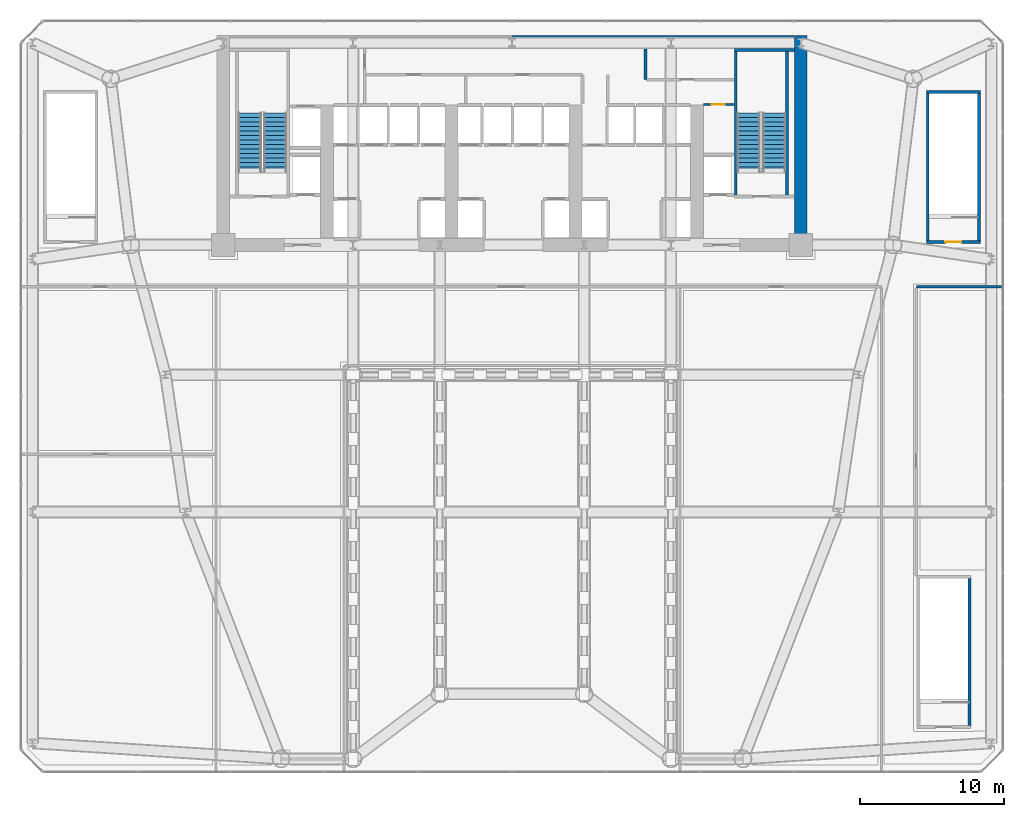
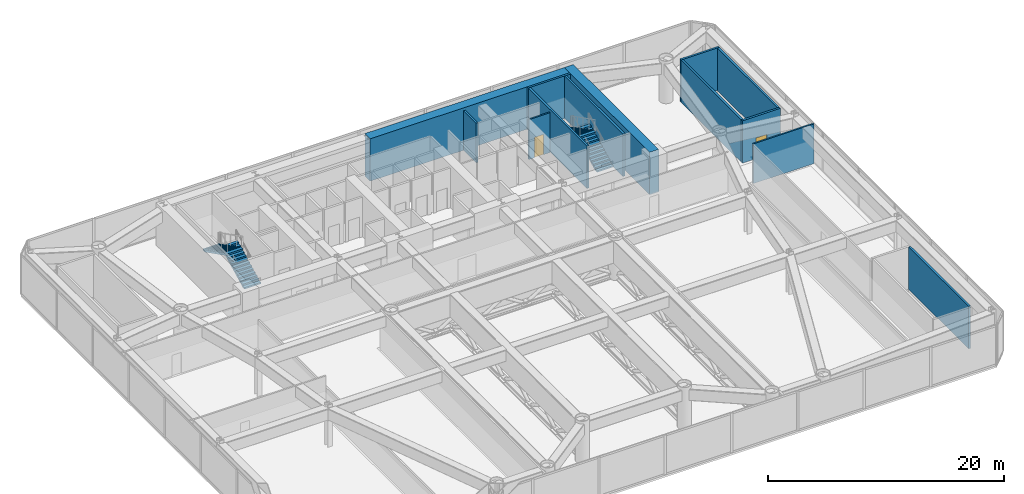
# One storey, part 17 of 21: 13 walls, 4 stair flights, 2 doors, 2 openings, 2 elements without a shape of their own.
"""IFC4 building model written with IfcOpenShell, lengths in metres."""

from ifc_helpers import new_model, si_unit, direction, frame, frame_2d, origin, place, context, subcontext, project, spatial, polyline, rectangle, outline, extrude, source, transform, mapped, material, layer, layer_set, type_object, element, fill, aggregate, save


model = new_model("IFC4")

# Units and contexts
model_context = context("Model", 3, precision=1e-05, world=origin(), true_north=direction((0.0, 1.0)))
body_context = subcontext(model_context, "Body", "Model", "MODEL_VIEW")
ifc_project = project(units=[si_unit("LENGTHUNIT", "METRE"), si_unit("AREAUNIT", "SQUARE_METRE"), si_unit("VOLUMEUNIT", "CUBIC_METRE"), si_unit("PLANEANGLEUNIT", "RADIAN"), si_unit("MASSUNIT", "GRAM", prefix="KILO")], contexts=[model_context])

# Site, building, storey
site_placement = place(None, origin())
site = spatial("IfcSite", under=ifc_project, at=site_placement, CompositionType="ELEMENT")
building_placement = place(site_placement, origin())
building = spatial("IfcBuilding", under=site, at=building_placement, Name="Vaeldorn Concourse Tower", CompositionType="ELEMENT")
storey_placement = place(building_placement, frame((0.0, 0.0, 14.39990234375)))
storey = spatial("IfcBuildingStorey", under=building, at=storey_placement, Name="L03", CompositionType="ELEMENT", Elevation=14.39990234375)

# Walls
ifc_material_1 = material(Name="Concrete C60/75", Category="concrete")
ifc_layer_1 = layer(ifc_material_1, 0.89990234375)
ifc_layer_set_1 = layer_set([ifc_layer_1], Name="Concrete C60/75")
wall_type_1 = type_object("IfcWallType", Name="WL-CORE-900", PredefinedType="SHEAR", material=ifc_layer_set_1)
wall_1_placement = place(storey_placement, frame((34.001953125, 50.550048828125, 0.0), z_axis=(0.0, 0.0, 1.0), x_axis=(1.0, 0.0, 0.0)))
element("IfcWall", 1, at=wall_1_placement, inside=storey, type_object=wall_type_1, Name="Rear Core Shear Wall L03 N2", PredefinedType="SHEAR", context=body_context, shape_type="SweptSolid", body=[
    extrude(rectangle(XDim=19.5439453125, YDim=0.89990234375, at=frame_2d((9.77197265625, 0.0))), origin(), (0.0, 0.0, 1.0), 4.400146484375),
])
wall_2_placement = place(storey_placement, frame((54.0, 36.5, 0.0), z_axis=(0.0, 0.0, 1.0), x_axis=(0.0, 1.0, 0.0)))
element("IfcWall", 2, at=wall_2_placement, inside=storey, type_object=wall_type_1, Name="Rear Core Shear Wall L03 E1", PredefinedType="SHEAR", context=body_context, shape_type="SweptSolid", body=[
    extrude(rectangle(XDim=14.5, YDim=0.89990234375, at=frame_2d((7.25, 0.0))), origin(), (0.0, 0.0, 1.0), 4.400146484375),
])

# Wall, opening, door
ifc_material_2 = material(Name="Gypsum Board Partition", Category="gypsum")
ifc_layer_2 = layer(ifc_material_2, 0.14990234375)
ifc_layer_set_2 = layer_set([ifc_layer_2], Name="Gypsum Board Partition")
wall_type_2 = type_object("IfcWallType", Name="WL-PART-150", PredefinedType="PARTITIONING", material=ifc_layer_set_2)
wall_3_placement = place(storey_placement, frame((47.280029296875, 46.219970703125, 0.0), z_axis=(0.0, 0.0, 1.0), x_axis=(1.0, 0.0, 0.0)))
wall_3 = element("IfcWall", 3, at=wall_3_placement, inside=storey, type_object=wall_type_2, Name="Interior Wall CW-L03-CRSE-N", PredefinedType="PARTITIONING", context=body_context, shape_type="SweptSolid", body=[
    extrude(rectangle(XDim=2.099853515625, YDim=0.14990234375, at=frame_2d((1.0498046875, 0.0))), origin(), (0.0, 0.0, 1.0), 4.1201171875),
])
opening_1_placement = place(wall_3_placement, frame((0.550048828125, 0.0, 0.0)))
opening_1 = element("IfcOpeningElement", 4, at=opening_1_placement, cuts=wall_3, Name="Opening D-02", PredefinedType="OPENING", context=body_context, shape_type="SweptSolid", body=[
    extrude(rectangle(XDim=0.89990234375, YDim=2.10009765625, at=frame_2d((0.449951171875, 1.050048828125))), frame((0.0, 0.0849609375, 0.0), z_axis=(0.0, -1.0, 0.0), x_axis=(1.0, 0.0, 0.0)), (0.0, 0.0, 1.0), 0.169921875),
])
ifc_material_3 = material(Name="Fire-Rated Timber Leaf", Category="wood")
door_type_1 = type_object("IfcDoorType", Name="DR-FD30-900", OperationType="NOTDEFINED", PredefinedType="DOOR", material=ifc_material_3)
shared_shape_1 = source(origin(), body_context, "Body", "SweptSolid", [
    extrude(rectangle(XDim=0.89990234375, YDim=2.10009765625, at=frame_2d((0.449951171875, 1.050048828125))), frame((0.0, 0.02490234375, 0.0), z_axis=(0.0, -1.0, 0.0), x_axis=(1.0, 0.0, 0.0)), (0.0, 0.0, 1.0), 0.050048828125),
])
door_1_placement = place(opening_1_placement, origin())
door_1 = element("IfcDoor", 5, at=door_1_placement, inside=storey, type_object=door_type_1, Name="Interior Door DR-L03-CRSE", OperationType="SINGLE_SWING_RIGHT", OverallHeight=2.10009765625, OverallWidth=0.89990234375, PredefinedType="DOOR", context=body_context, shape_type="MappedRepresentation", body=[
    mapped(shared_shape_1, transform((0.0, 0.0, 0.0), scale=1.0)),
])
fill(opening_1, door_1)

# Walls
wall_4_placement = place(storey_placement, frame((62.0, 33.60009765625, 0.0), z_axis=(0.0, 0.0, 1.0), x_axis=(1.0, 0.0, 0.0)))
element("IfcWall", 6, at=wall_4_placement, inside=storey, type_object=wall_type_2, Name="Interior Wall PW-L03-CORE", PredefinedType="PARTITIONING", context=body_context, shape_type="SweptSolid", body=[
    extrude(rectangle(XDim=5.9599609375, YDim=0.14990234375, at=frame_2d((2.97998046875, 0.0))), origin(), (0.0, 0.0, 1.0), 4.1201171875),
])
ifc_layer_3 = layer(ifc_material_2, 0.179931640625)
ifc_layer_set_3 = layer_set([ifc_layer_3], Name="Gypsum Board Partition")
wall_type_3 = type_object("IfcWallType", Name="WL-PLUMB-180", PredefinedType="PLUMBINGWALL", material=ifc_layer_set_3)
wall_5_placement = place(storey_placement, frame((43.25, 47.949951171875, 0.0), z_axis=(0.0, 0.0, 1.0), x_axis=(0.0, 1.0, 0.0)))
element("IfcWall", 7, at=wall_5_placement, inside=storey, type_object=wall_type_3, Name="Interior Wall CW-L03-SDIV6", PredefinedType="PLUMBINGWALL", context=body_context, shape_type="SweptSolid", body=[
    extrude(rectangle(XDim=2.130126953125, YDim=0.179931640625, at=frame_2d((1.06494140625, 0.0))), origin(), (0.0, 0.0, 1.0), 4.1201171875),
])
ifc_material_4 = material(Name="Concrete C50/60", Category="concrete")
ifc_layer_4 = layer(ifc_material_4, 0.199951171875)
ifc_layer_set_4 = layer_set([ifc_layer_4], Name="Concrete C50/60")
wall_type_4 = type_object("IfcWallType", Name="WL-SHAFT-200", PredefinedType="SOLIDWALL", material=ifc_layer_set_4)
wall_6_placement = place(storey_placement, frame((49.39990234375, 50.0, 0.0), z_axis=(0.0, 0.0, 1.0), x_axis=(1.0, 0.0, 0.0)))
element("IfcWall", 8, at=wall_6_placement, inside=storey, type_object=wall_type_4, Name="Stair Shaft Wall CW-L03-ST-2-N", PredefinedType="SOLIDWALL", context=body_context, shape_type="SweptSolid", body=[
    extrude(rectangle(XDim=4.150146484375, YDim=0.199951171875, at=frame_2d((2.0751953125, 0.0))), origin(), (0.0, 0.0, 1.0), 4.400146484375),
])
for number, where, z_axis, x_axis, name in (
    (9, (49.5, 39.9599609375, 0.0), (0.0, 0.0, 1.0), (0.0, 1.0, 0.0), "Stair Shaft Wall CW-L03-ST-2-W"),
    (10, (53.050048828125, 39.9599609375, 0.0), (0.0, 0.0, 1.0), (0.0, 1.0, 0.0), "Stair Shaft Wall CW-L03-ST-2-E"),
):
    element("IfcWall", number, at=place(storey_placement, frame(where, z_axis=z_axis, x_axis=x_axis)), inside=storey, type_object=wall_type_4, Name=name, PredefinedType="SOLIDWALL", context=body_context, shape_type="SweptSolid", body=[
        extrude(rectangle(XDim=9.929931640625, YDim=0.199951171875, at=frame_2d((4.96484375, 0.0))), origin(), (0.0, 0.0, 1.0), 4.400146484375),
    ])

# Wall, opening, door
wall_7_placement = place(storey_placement, frame((62.699951171875, 36.699951171875, 0.0), z_axis=(0.0, 0.0, 1.0), x_axis=(1.0, 0.0, 0.0)))
wall_7 = element("IfcWall", 11, at=wall_7_placement, inside=storey, type_object=wall_type_4, Name="Stair Shaft Wall CW-L03-ST-4-S", PredefinedType="SOLIDWALL", context=body_context, shape_type="SweptSolid", body=[
    extrude(rectangle(XDim=3.75, YDim=0.199951171875, at=frame_2d((1.875, 0.0))), origin(), (0.0, 0.0, 1.0), 4.400146484375),
])
opening_2_placement = place(wall_7_placement, frame((1.324951171875, 0.0, 0.0)))
opening_2 = element("IfcOpeningElement", 12, at=opening_2_placement, cuts=wall_7, Name="Opening D-01", PredefinedType="OPENING", context=body_context, shape_type="SweptSolid", body=[
    extrude(rectangle(XDim=1.10009765625, YDim=2.14990234375, at=frame_2d((0.550048828125, 1.074951171875))), frame((0.0, 0.10986328125, 0.0), z_axis=(0.0, -1.0, 0.0), x_axis=(1.0, 0.0, 0.0)), (0.0, 0.0, 1.0), 0.219970703125),
])
ifc_material_5 = material(Name="Fire-Rated Timber and Steel Leaf", Category="steel")
door_type_2 = type_object("IfcDoorType", Name="DR-FD60-1100", OperationType="NOTDEFINED", PredefinedType="DOOR", material=ifc_material_5)
shared_shape_2 = source(origin(), body_context, "Body", "SweptSolid", [
    extrude(rectangle(XDim=1.10009765625, YDim=2.14990234375, at=frame_2d((0.550048828125, 1.074951171875))), frame((0.0, 0.02490234375, 0.0), z_axis=(0.0, -1.0, 0.0), x_axis=(1.0, 0.0, 0.0)), (0.0, 0.0, 1.0), 0.050048828125),
])
door_2_placement = place(opening_2_placement, origin())
door_2 = element("IfcDoor", 13, at=door_2_placement, inside=storey, type_object=door_type_2, Name="Interior Door DR-L03-ST-4", OperationType="SINGLE_SWING_RIGHT", OverallHeight=2.14990234375, OverallWidth=1.10009765625, PredefinedType="DOOR", context=body_context, shape_type="MappedRepresentation", body=[
    mapped(shared_shape_2, transform((0.0, 0.0, 0.0), scale=1.0)),
])
fill(opening_2, door_2)

# Walls
wall_8_placement = place(storey_placement, frame((62.699951171875, 47.10009765625, 0.0), z_axis=(0.0, 0.0, 1.0), x_axis=(1.0, 0.0, 0.0)))
element("IfcWall", 14, at=wall_8_placement, inside=storey, type_object=wall_type_4, Name="Stair Shaft Wall CW-L03-ST-4-N", PredefinedType="SOLIDWALL", context=body_context, shape_type="SweptSolid", body=[
    extrude(rectangle(XDim=3.75, YDim=0.199951171875, at=frame_2d((1.875, 0.0))), origin(), (0.0, 0.0, 1.0), 4.400146484375),
])
for number, where, z_axis, x_axis, name in (
    (15, (62.800048828125, 36.81005859375, 0.0), (0.0, 0.0, 1.0), (0.0, 1.0, 0.0), "Stair Shaft Wall CW-L03-ST-4-W"),
    (16, (66.35009765625, 36.81005859375, 0.0), (0.0, 0.0, 1.0), (0.0, 1.0, 0.0), "Stair Shaft Wall CW-L03-ST-4-E"),
    (17, (65.699951171875, 3.2099609375, 0.0), (0.0, 0.0, 1.0), (0.0, 1.0, 0.0), "Stair Shaft Wall CW-L03-ST-5-E"),
):
    element("IfcWall", number, at=place(storey_placement, frame(where, z_axis=z_axis, x_axis=x_axis)), inside=storey, type_object=wall_type_4, Name=name, PredefinedType="SOLIDWALL", context=body_context, shape_type="SweptSolid", body=[
        extrude(rectangle(XDim=10.179931640625, YDim=0.199951171875, at=frame_2d((5.08984375, 0.0))), origin(), (0.0, 0.0, 1.0), 4.400146484375),
    ])

# Stair, stair flights
ifc_material_6 = material(Name="Precast concrete C40/50", Category="concrete")
stair_type = type_object("IfcStairType", Name="STR-DOG-28x157", PredefinedType="HALF_TURN_STAIR", material=ifc_material_6)
stair_1_placement = place(storey_placement, origin())
stair_1 = element("IfcStair", 18, at=stair_1_placement, inside=storey, type_object=stair_type, Name="L03 West Core Exit Stair ST-1", PredefinedType="HALF_TURN_STAIR")
stair_flight_type = type_object("IfcStairFlightType", Name="STF-STR-14x157", PredefinedType="STRAIGHT", material=ifc_material_6)
stair_flight_1_placement = place(storey_placement, frame((17.60009765625, 41.60009765625, 0.0), z_axis=(0.0, 0.0, 1.0), x_axis=(0.0, 1.0, 0.0)))
stair_flight_1 = element("IfcStairFlight", 19, at=stair_flight_1_placement, type_object=stair_flight_type, Name="ST-1 flight 1", NumberOfRisers=14, NumberOfTreads=13, PredefinedType="STRAIGHT", RiserHeight=0.157142857, TreadLength=0.31, context=body_context, shape_type="SweptSolid", body=[
    extrude(outline(polyline([(0.0, 0.0), (0.0, 0.1572265625), (0.31005859375, 0.1572265625), (0.31005859375, 0.314208984375), (0.6201171875, 0.314208984375), (0.6201171875, 0.471435546875), (0.929931640625, 0.471435546875), (0.929931640625, 0.628662109375), (1.239990234375, 0.628662109375), (1.239990234375, 0.78564453125), (1.550048828125, 0.78564453125), (1.550048828125, 0.94287109375), (1.860107421875, 0.94287109375), (1.860107421875, 1.10009765625), (2.169921875, 1.10009765625), (2.169921875, 1.257080078125), (2.47998046875, 1.257080078125), (2.47998046875, 1.414306640625), (2.7900390625, 1.414306640625), (2.7900390625, 1.571533203125), (3.10009765625, 1.571533203125), (3.10009765625, 1.728515625), (3.409912109375, 1.728515625), (3.409912109375, 1.8857421875), (3.719970703125, 1.8857421875), (3.719970703125, 2.04296875), (4.030029296875, 2.04296875), (4.030029296875, 2.199951171875), (4.030029296875, 1.874755859375), (0.33154296875, 0.0), (0.0, 0.0)])), frame((0.0, 0.800048828125, 0.0), z_axis=(0.0, -1.0, 0.0), x_axis=(1.0, 0.0, 0.0)), (0.0, 0.0, 1.0), 1.60009765625),
])
stair_flight_2_placement = place(storey_placement, frame((15.85009765625, 45.6298828125, 2.2001953125), z_axis=(0.0, 0.0, 1.0), x_axis=(0.0, -1.0, 0.0)))
stair_flight_2 = element("IfcStairFlight", 20, at=stair_flight_2_placement, type_object=stair_flight_type, Name="ST-1 flight 2", NumberOfRisers=14, NumberOfTreads=13, PredefinedType="STRAIGHT", RiserHeight=0.157142857, TreadLength=0.31, context=body_context, shape_type="SweptSolid", body=[
    extrude(outline(polyline([(0.0, 0.0), (0.0, 0.1572265625), (0.31005859375, 0.1572265625), (0.31005859375, 0.314208984375), (0.6201171875, 0.314208984375), (0.6201171875, 0.471435546875), (0.929931640625, 0.471435546875), (0.929931640625, 0.628662109375), (1.239990234375, 0.628662109375), (1.239990234375, 0.78564453125), (1.550048828125, 0.78564453125), (1.550048828125, 0.94287109375), (1.860107421875, 0.94287109375), (1.860107421875, 1.10009765625), (2.169921875, 1.10009765625), (2.169921875, 1.257080078125), (2.47998046875, 1.257080078125), (2.47998046875, 1.414306640625), (2.7900390625, 1.414306640625), (2.7900390625, 1.571533203125), (3.10009765625, 1.571533203125), (3.10009765625, 1.728515625), (3.409912109375, 1.728515625), (3.409912109375, 1.8857421875), (3.719970703125, 1.8857421875), (3.719970703125, 2.04296875), (4.030029296875, 2.04296875), (4.030029296875, 2.199951171875), (4.030029296875, 1.874755859375), (0.33154296875, 0.0), (0.0, 0.0)])), frame((0.0, 0.800048828125, 0.0), z_axis=(0.0, -1.0, 0.0), x_axis=(1.0, 0.0, 0.0)), (0.0, 0.0, 1.0), 1.60009765625),
])
aggregate(stair_1, [stair_flight_1, stair_flight_2])

stair_2_placement = place(storey_placement, origin())
stair_2 = element("IfcStair", 21, at=stair_2_placement, inside=storey, type_object=stair_type, Name="L03 East Core Exit Stair ST-2", PredefinedType="HALF_TURN_STAIR")
stair_flight_3_placement = place(storey_placement, frame((52.14990234375, 41.60009765625, 0.0), z_axis=(0.0, 0.0, 1.0), x_axis=(0.0, 1.0, 0.0)))
stair_flight_3 = element("IfcStairFlight", 22, at=stair_flight_3_placement, type_object=stair_flight_type, Name="ST-2 flight 1", NumberOfRisers=14, NumberOfTreads=13, PredefinedType="STRAIGHT", RiserHeight=0.157142857, TreadLength=0.31, context=body_context, shape_type="SweptSolid", body=[
    extrude(outline(polyline([(0.0, 0.0), (0.0, 0.1572265625), (0.31005859375, 0.1572265625), (0.31005859375, 0.314208984375), (0.6201171875, 0.314208984375), (0.6201171875, 0.471435546875), (0.929931640625, 0.471435546875), (0.929931640625, 0.628662109375), (1.239990234375, 0.628662109375), (1.239990234375, 0.78564453125), (1.550048828125, 0.78564453125), (1.550048828125, 0.94287109375), (1.860107421875, 0.94287109375), (1.860107421875, 1.10009765625), (2.169921875, 1.10009765625), (2.169921875, 1.257080078125), (2.47998046875, 1.257080078125), (2.47998046875, 1.414306640625), (2.7900390625, 1.414306640625), (2.7900390625, 1.571533203125), (3.10009765625, 1.571533203125), (3.10009765625, 1.728515625), (3.409912109375, 1.728515625), (3.409912109375, 1.8857421875), (3.719970703125, 1.8857421875), (3.719970703125, 2.04296875), (4.030029296875, 2.04296875), (4.030029296875, 2.199951171875), (4.030029296875, 1.874755859375), (0.33154296875, 0.0), (0.0, 0.0)])), frame((0.0, 0.800048828125, 0.0), z_axis=(0.0, -1.0, 0.0), x_axis=(1.0, 0.0, 0.0)), (0.0, 0.0, 1.0), 1.60009765625),
])
stair_flight_4_placement = place(storey_placement, frame((50.39990234375, 45.6298828125, 2.2001953125), z_axis=(0.0, 0.0, 1.0), x_axis=(0.0, -1.0, 0.0)))
stair_flight_4 = element("IfcStairFlight", 23, at=stair_flight_4_placement, type_object=stair_flight_type, Name="ST-2 flight 2", NumberOfRisers=14, NumberOfTreads=13, PredefinedType="STRAIGHT", RiserHeight=0.157142857, TreadLength=0.31, context=body_context, shape_type="SweptSolid", body=[
    extrude(outline(polyline([(0.0, 0.0), (0.0, 0.1572265625), (0.31005859375, 0.1572265625), (0.31005859375, 0.314208984375), (0.6201171875, 0.314208984375), (0.6201171875, 0.471435546875), (0.929931640625, 0.471435546875), (0.929931640625, 0.628662109375), (1.239990234375, 0.628662109375), (1.239990234375, 0.78564453125), (1.550048828125, 0.78564453125), (1.550048828125, 0.94287109375), (1.860107421875, 0.94287109375), (1.860107421875, 1.10009765625), (2.169921875, 1.10009765625), (2.169921875, 1.257080078125), (2.47998046875, 1.257080078125), (2.47998046875, 1.414306640625), (2.7900390625, 1.414306640625), (2.7900390625, 1.571533203125), (3.10009765625, 1.571533203125), (3.10009765625, 1.728515625), (3.409912109375, 1.728515625), (3.409912109375, 1.8857421875), (3.719970703125, 1.8857421875), (3.719970703125, 2.04296875), (4.030029296875, 2.04296875), (4.030029296875, 2.199951171875), (4.030029296875, 1.874755859375), (0.33154296875, 0.0), (0.0, 0.0)])), frame((0.0, 0.800048828125, 0.0), z_axis=(0.0, -1.0, 0.0), x_axis=(1.0, 0.0, 0.0)), (0.0, 0.0, 1.0), 1.60009765625),
])
aggregate(stair_2, [stair_flight_3, stair_flight_4])

save(model, "model.ifc")
